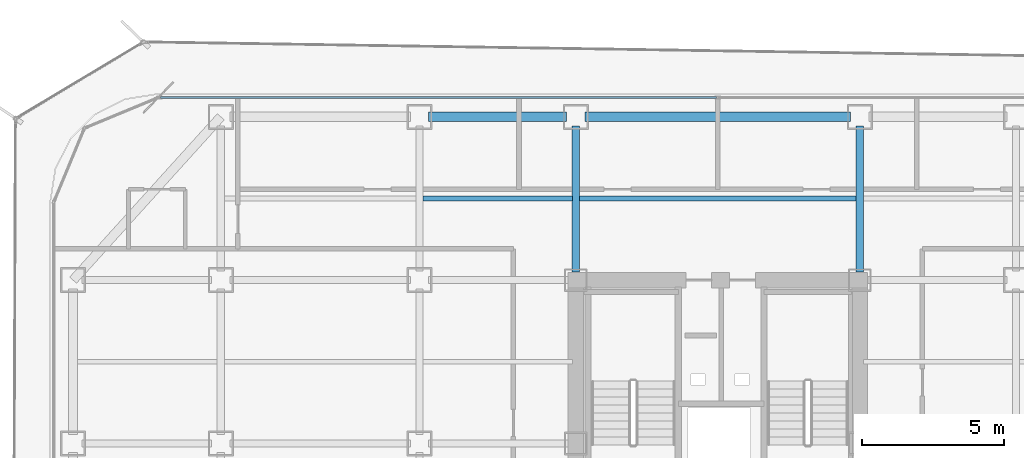
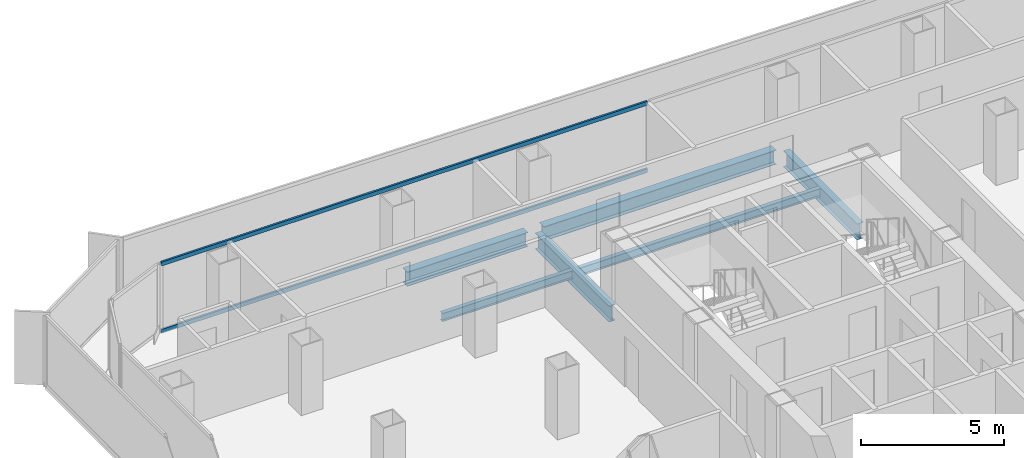
# One storey, part 11 of 21: 6 beams, 2 members, 1 element without a shape of its own.
"""IFC4 building model written with IfcOpenShell, lengths in metres."""

from ifc_helpers import new_model, si_unit, direction, frame, origin, origin_2d, place, context, subcontext, project, spatial, hollow_rectangle, i_section, extrude, source, transform, mapped, material, layer, layer_set, material_profile, profile_set, type_object, element, aggregate, save


model = new_model("IFC4")

# Units and contexts
model_context = context("Model", 3, precision=1e-05, world=origin(), true_north=direction((0.0, 1.0)))
body_context = subcontext(model_context, "Body", "Model", "MODEL_VIEW")
ifc_project = project(units=[si_unit("LENGTHUNIT", "METRE"), si_unit("AREAUNIT", "SQUARE_METRE"), si_unit("VOLUMEUNIT", "CUBIC_METRE"), si_unit("PLANEANGLEUNIT", "RADIAN"), si_unit("MASSUNIT", "GRAM", prefix="KILO")], contexts=[model_context])

# Site, building, storey
site_placement = place(None, origin())
site = spatial("IfcSite", under=ifc_project, at=site_placement, CompositionType="ELEMENT")
building_placement = place(site_placement, origin())
building = spatial("IfcBuilding", under=site, at=building_placement, Name="Kolveth Station Tower", CompositionType="ELEMENT")
storey_placement = place(building_placement, frame((0.0, 0.0, 134.300048828125)))
storey = spatial("IfcBuildingStorey", under=building, at=storey_placement, Name="L37", CompositionType="ELEMENT", Elevation=134.300048828125)

# Beams
ifc_material_1 = material(Name="Steel S355", Category="steel")
ifc_material_profile_1 = material_profile(ifc_material_1, i_section(OverallWidth=0.323974609375, OverallDepth=0.611083984375, WebThickness=0.0126953125, FlangeThickness=0.01904296875, at=origin_2d()), Name="W610x155")
ifc_profile_set_1 = profile_set([ifc_material_profile_1], Name="Steel S355")
beam_type_1 = type_object("IfcBeamType", Name="Beam_SP2", PredefinedType="SPANDREL", material=ifc_profile_set_1)
shared_shape_1 = source(origin(), body_context, "Body", "SweptSolid", [
    extrude(i_section(OverallWidth=0.323974609375, OverallDepth=0.611083984375, WebThickness=0.0126953125, FlangeThickness=0.01904296875, at=origin_2d()), origin(), (0.0, 0.0, 1.0), 4.85986328125),
])
beam_1_placement = place(storey_placement, frame((13.320068359375, 34.5, -0.5556640625), z_axis=(1.0, 0.0, 0.0), x_axis=(0.0, 1.0, 0.0)))
element("IfcBeam", 1, at=beam_1_placement, inside=storey, type_object=beam_type_1, Name="L37 Perimeter Spandrel BM-L37-PN-2", PredefinedType="SPANDREL", context=body_context, shape_type="MappedRepresentation", body=[
    mapped(shared_shape_1, transform((0.0, 0.0, 0.0), x_axis=(1.0, 0.0, 0.0), y_axis=(0.0, 1.0, 0.0), z_axis=(0.0, 0.0, 1.0), scale=1.0)),
])
shared_shape_2 = source(origin(), body_context, "Body", "SweptSolid", [
    extrude(i_section(OverallWidth=0.323974609375, OverallDepth=0.611083984375, WebThickness=0.0126953125, FlangeThickness=0.01904296875, at=origin_2d()), origin(), (0.0, 0.0, 1.0), 9.35986328125),
])
beam_2_placement = place(storey_placement, frame((18.820068359375, 34.5, -0.5556640625), z_axis=(1.0, 0.0, 0.0), x_axis=(0.0, 1.0, 0.0)))
element("IfcBeam", 2, at=beam_2_placement, inside=storey, type_object=beam_type_1, Name="L37 Perimeter Spandrel BM-L37-PN-3", PredefinedType="SPANDREL", context=body_context, shape_type="MappedRepresentation", body=[
    mapped(shared_shape_2, transform((0.0, 0.0, 0.0), x_axis=(1.0, 0.0, 0.0), y_axis=(0.0, 1.0, 0.0), z_axis=(0.0, 0.0, 1.0), scale=1.0)),
])
ifc_material_profile_2 = material_profile(ifc_material_1, i_section(OverallWidth=0.25390625, OverallDepth=0.68798828125, WebThickness=0.01318359375, FlangeThickness=0.02099609375, at=origin_2d()), Name="W690x152")
ifc_profile_set_2 = profile_set([ifc_material_profile_2], Name="Steel S355")
beam_type_2 = type_object("IfcBeamType", Name="Beam_B4", PredefinedType="BEAM", material=ifc_profile_set_2)
shared_shape_3 = source(origin(), body_context, "Body", "SweptSolid", [
    extrude(i_section(OverallWidth=0.25390625, OverallDepth=0.68798828125, WebThickness=0.01318359375, FlangeThickness=0.02099609375, at=origin_2d()), origin(), (0.0, 0.0, 1.0), 5.14990234375),
])
for number, where, z_axis, x_axis, name in (
    (3, (18.5, 29.030029296875, -0.593994140625), (0.0, 1.0, 0.0), (-1.0, 0.0, 0.0), "L37 Primary Girder BM-L37-GX185-6"),
    (4, (28.5, 29.030029296875, -0.593994140625), (0.0, 1.0, 0.0), (-1.0, 0.0, 0.0), "L37 Primary Girder BM-L37-GX285-6"),
):
    element("IfcBeam", number, at=place(storey_placement, frame(where, z_axis=z_axis, x_axis=x_axis)), inside=storey, type_object=beam_type_2, Name=name, PredefinedType="BEAM", context=body_context, shape_type="MappedRepresentation", body=[
        mapped(shared_shape_3, transform((0.0, 0.0, 0.0), x_axis=(1.0, 0.0, 0.0), y_axis=(0.0, 1.0, 0.0), z_axis=(0.0, 0.0, 1.0), scale=1.0)),
    ])
ifc_material_profile_3 = material_profile(ifc_material_1, i_section(OverallWidth=0.1708984375, OverallDepth=0.35205078125, WebThickness=0.0068359375, FlangeThickness=0.009765625, at=origin_2d()), Name="W360x44")
ifc_profile_set_3 = profile_set([ifc_material_profile_3], Name="Steel S355")
beam_type_3 = type_object("IfcBeamType", Name="Beam_J2", PredefinedType="JOIST", material=ifc_profile_set_3)
shared_shape_4 = source(origin(), body_context, "Body", "SweptSolid", [
    extrude(i_section(OverallWidth=0.1708984375, OverallDepth=0.35205078125, WebThickness=0.0068359375, FlangeThickness=0.009765625, at=origin_2d()), origin(), (0.0, 0.0, 1.0), 5.25),
])
beam_3_placement = place(storey_placement, frame((13.125, 31.625, -0.426025390625), z_axis=(1.0, 0.0, 0.0), x_axis=(0.0, 1.0, 0.0)))
element("IfcBeam", 5, at=beam_3_placement, inside=storey, type_object=beam_type_3, Name="L37 Secondary Joist JST-L37-3-6", PredefinedType="JOIST", context=body_context, shape_type="MappedRepresentation", body=[
    mapped(shared_shape_4, transform((0.0, 0.0, 0.0), x_axis=(1.0, 0.0, 0.0), y_axis=(0.0, 1.0, 0.0), z_axis=(0.0, 0.0, 1.0), scale=1.0)),
])
shared_shape_5 = source(origin(), body_context, "Body", "SweptSolid", [
    extrude(i_section(OverallWidth=0.1708984375, OverallDepth=0.35205078125, WebThickness=0.0068359375, FlangeThickness=0.009765625, at=origin_2d()), origin(), (0.0, 0.0, 1.0), 9.75),
])
beam_4_placement = place(storey_placement, frame((18.625, 31.625, -0.426025390625), z_axis=(1.0, 0.0, 0.0), x_axis=(0.0, 1.0, 0.0)))
element("IfcBeam", 6, at=beam_4_placement, inside=storey, type_object=beam_type_3, Name="L37 Secondary Joist JST-L37-4-6", PredefinedType="JOIST", context=body_context, shape_type="MappedRepresentation", body=[
    mapped(shared_shape_5, transform((0.0, 0.0, 0.0), x_axis=(1.0, 0.0, 0.0), y_axis=(0.0, 1.0, 0.0), z_axis=(0.0, 0.0, 1.0), scale=1.0)),
])

# Curtain wall, members
ifc_material_2 = material(Name="Aluminium 6063-T6 and low-E dark glass", Category="aluminium")
ifc_layer = layer(ifc_material_2, 0.18994140625)
ifc_layer_set = layer_set([ifc_layer], Name="Aluminium 6063-T6 and low-E dark glass")
curtain_wall_type = type_object("IfcCurtainWallType", Name="CurtainWall_CW-Z2", PredefinedType="NOTDEFINED", material=ifc_layer_set)
curtain_wall_placement = place(storey_placement, origin())
curtain_wall = element("IfcCurtainWall", 7, at=curtain_wall_placement, inside=storey, type_object=curtain_wall_type, Name="L37 Inner Thermal Curtain Wall 6", PredefinedType="NOTDEFINED")
ifc_material_3 = material(Name="Black anodized aluminium 6063-T6", Category="aluminium")
ifc_material_profile_4 = material_profile(ifc_material_3, hollow_rectangle(XDim=0.080078125, YDim=0.169921875, WallThickness=0.0048828125, at=origin_2d()), Name="ALU-80x170x5")
ifc_profile_set_4 = profile_set([ifc_material_profile_4], Name="Black anodized aluminium 6063-T6")
member_type = type_object("IfcMemberType", Name="Transom_TR2", PredefinedType="USERDEFINED", material=ifc_profile_set_4)
shared_shape_6 = source(origin(), body_context, "Body", "SweptSolid", [
    extrude(hollow_rectangle(XDim=0.080078125, YDim=0.169921875, WallThickness=0.0048828125, at=origin_2d()), origin(), (0.0, 0.0, 1.0), 19.580078125),
])
member_1_placement = place(storey_placement, frame((23.4599609375, 35.179931640625, 0.0400390625), z_axis=(-1.0, 0.0, 0.0), x_axis=(0.0, -1.0, 0.0)))
member_1 = element("IfcMember", 8, at=member_1_placement, type_object=member_type, Name="CW-Z2 transom 2.1", ObjectType="TRANSOM", PredefinedType="USERDEFINED", context=body_context, shape_type="MappedRepresentation", body=[
    mapped(shared_shape_6, transform((0.0, 0.0, 0.0), x_axis=(1.0, 0.0, 0.0), y_axis=(0.0, 1.0, 0.0), z_axis=(0.0, 0.0, 1.0), scale=1.0)),
])
member_2_placement = place(storey_placement, frame((23.4599609375, 35.179931640625, 2.909912109375), z_axis=(-1.0, 0.0, 0.0), x_axis=(0.0, -1.0, 0.0)))
member_2 = element("IfcMember", 9, at=member_2_placement, type_object=member_type, Name="CW-Z2 transom 2.2", ObjectType="TRANSOM", PredefinedType="USERDEFINED", context=body_context, shape_type="MappedRepresentation", body=[
    mapped(shared_shape_6, transform((0.0, 0.0, 0.0), x_axis=(1.0, 0.0, 0.0), y_axis=(0.0, 1.0, 0.0), z_axis=(0.0, 0.0, 1.0), scale=1.0)),
])
aggregate(curtain_wall, [member_1, member_2])

save(model, "model.ifc")
